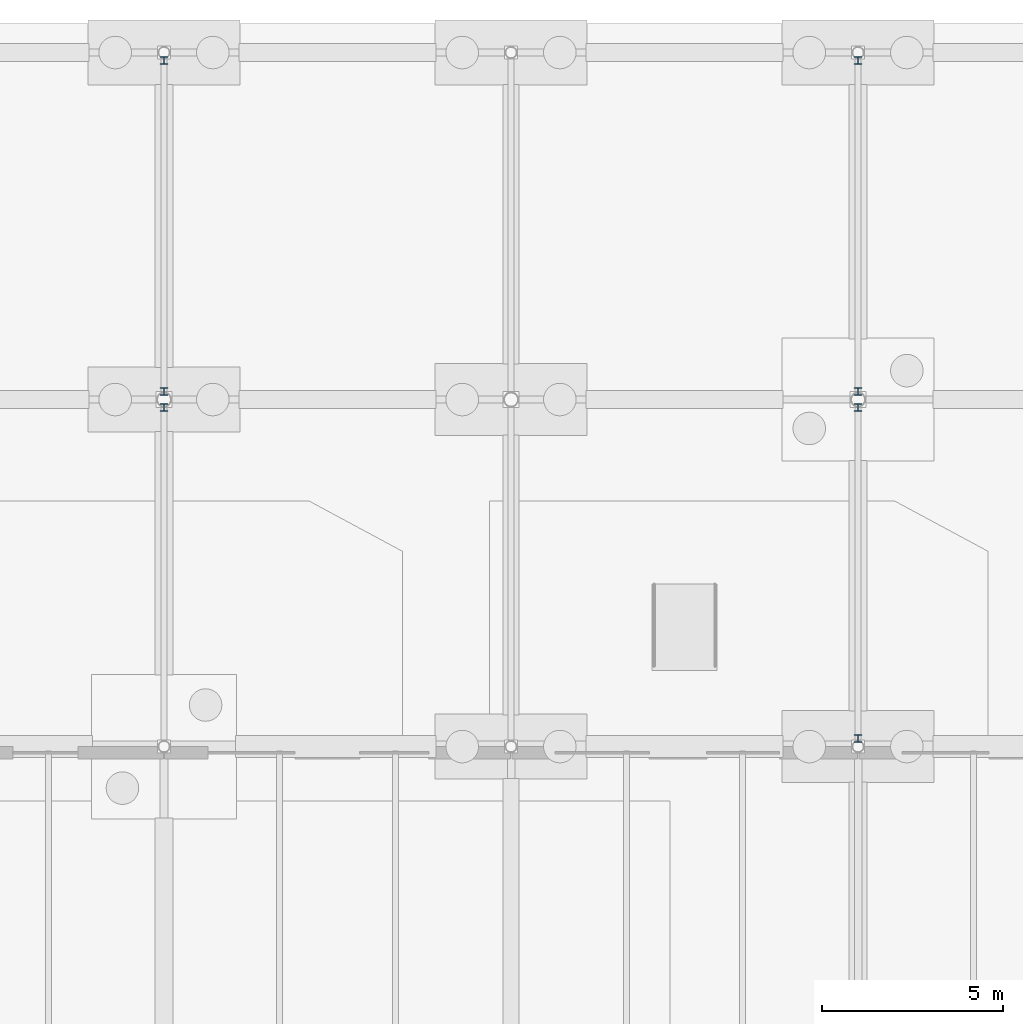
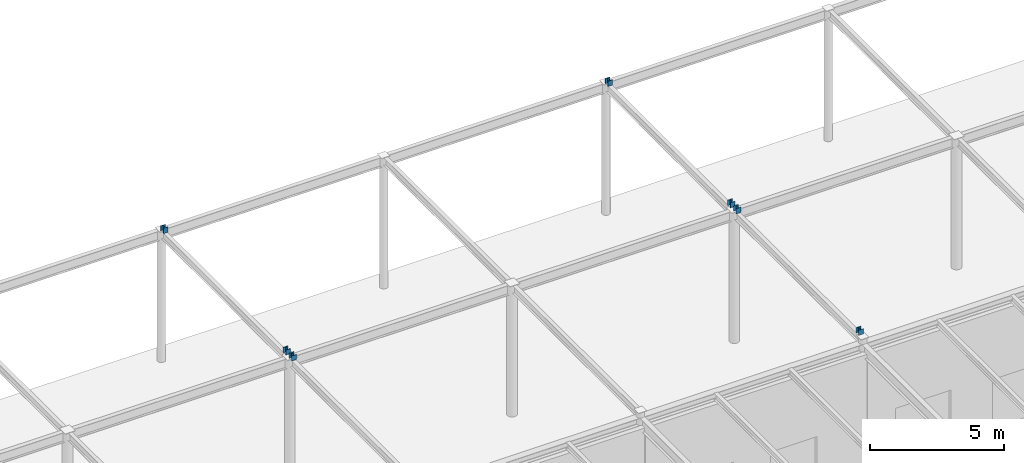
# One storey, part 29 of 142: 7 columns.
"""IFC4 building model written with IfcOpenShell, lengths in metres."""

from ifc_helpers import new_model, si_unit, direction, frame, origin, origin_2d, place, context, subcontext, project, spatial, i_section, extrude, material, material_profile, profile_set, type_object, element, save


model = new_model("IFC4")

# Units and contexts
model_context = context("Model", 3, precision=1e-05, world=origin(), true_north=direction((0.0, 1.0)))
body_context = subcontext(model_context, "Body", "Model", "MODEL_VIEW")
ifc_project = project(units=[si_unit("LENGTHUNIT", "METRE"), si_unit("AREAUNIT", "SQUARE_METRE"), si_unit("VOLUMEUNIT", "CUBIC_METRE"), si_unit("PLANEANGLEUNIT", "RADIAN"), si_unit("MASSUNIT", "GRAM", prefix="KILO")], contexts=[model_context])

# Site, building, storey
site_placement = place(None, origin())
site = spatial("IfcSite", under=ifc_project, at=site_placement, CompositionType="ELEMENT")
building_placement = place(site_placement, origin())
building = spatial("IfcBuilding", under=site, at=building_placement, Name="Coralgate Yard Interchange", CompositionType="ELEMENT")
storey_placement = place(building_placement, origin())
storey = spatial("IfcBuildingStorey", under=building, at=storey_placement, Name="L00", CompositionType="ELEMENT", Elevation=0.0)

# Columns
ifc_material = material(Name="Structural steel S355J2", Category="steel")
ifc_material_profile = material_profile(ifc_material, i_section(OverallWidth=0.205810546875, OverallDepth=0.209716796875, WebThickness=0.009521484375, FlangeThickness=0.01416015625, FilletRadius=0.01025390625, at=origin_2d()), Name="UC 203x203x60")
ifc_profile_set = profile_set([ifc_material_profile], Name="Structural steel S355J2")
column_type = type_object("IfcColumnType", Name="COL-SC-9", PredefinedType="COLUMN", material=ifc_profile_set)
for number, where, z_axis, x_axis, name in (
    (1, (96.0, 105.3798828125, 6.001953125), (0.0, 0.0, 1.0), (1.0, 0.0, 0.0), "Wave-shell valley shoe post WVST-R1-96-N"),
    (2, (115.199951171875, 96.219970703125, 6.001953125), (0.0, 0.0, 1.0), (1.0, 0.0, 0.0), "Wave-shell valley shoe post WVST-R1-115-S"),
    (3, (115.199951171875, 105.3798828125, 6.001953125), (0.0, 0.0, 1.0), (1.0, 0.0, 0.0), "Wave-shell valley shoe post WVST-R1-115-N"),
    (4, (96.0, 105.820068359375, 6.001953125), (0.0, 0.0, 1.0), (1.0, 0.0, 0.0), "Wave-shell valley shoe post WVST-R2-96-S"),
    (5, (96.0, 114.97998046875, 6.001953125), (0.0, 0.0, 1.0), (1.0, 0.0, 0.0), "Wave-shell valley shoe post WVST-R2-96-N"),
    (6, (115.199951171875, 105.820068359375, 6.001953125), (0.0, 0.0, 1.0), (1.0, 0.0, 0.0), "Wave-shell valley shoe post WVST-R2-115-S"),
    (7, (115.199951171875, 114.97998046875, 6.001953125), (0.0, 0.0, 1.0), (1.0, 0.0, 0.0), "Wave-shell valley shoe post WVST-R2-115-N"),
):
    element("IfcColumn", number, at=place(storey_placement, frame(where, z_axis=z_axis, x_axis=x_axis)), inside=storey, type_object=column_type, Name=name, PredefinedType="COLUMN", context=body_context, shape_type="SweptSolid", body=[
        extrude(i_section(OverallWidth=0.205810546875, OverallDepth=0.209716796875, WebThickness=0.009521484375, FlangeThickness=0.01416015625, FilletRadius=0.01025390625, at=origin_2d()), origin(), (0.0, 0.0, 1.0), 0.2431640625),
    ])

save(model, "model.ifc")
